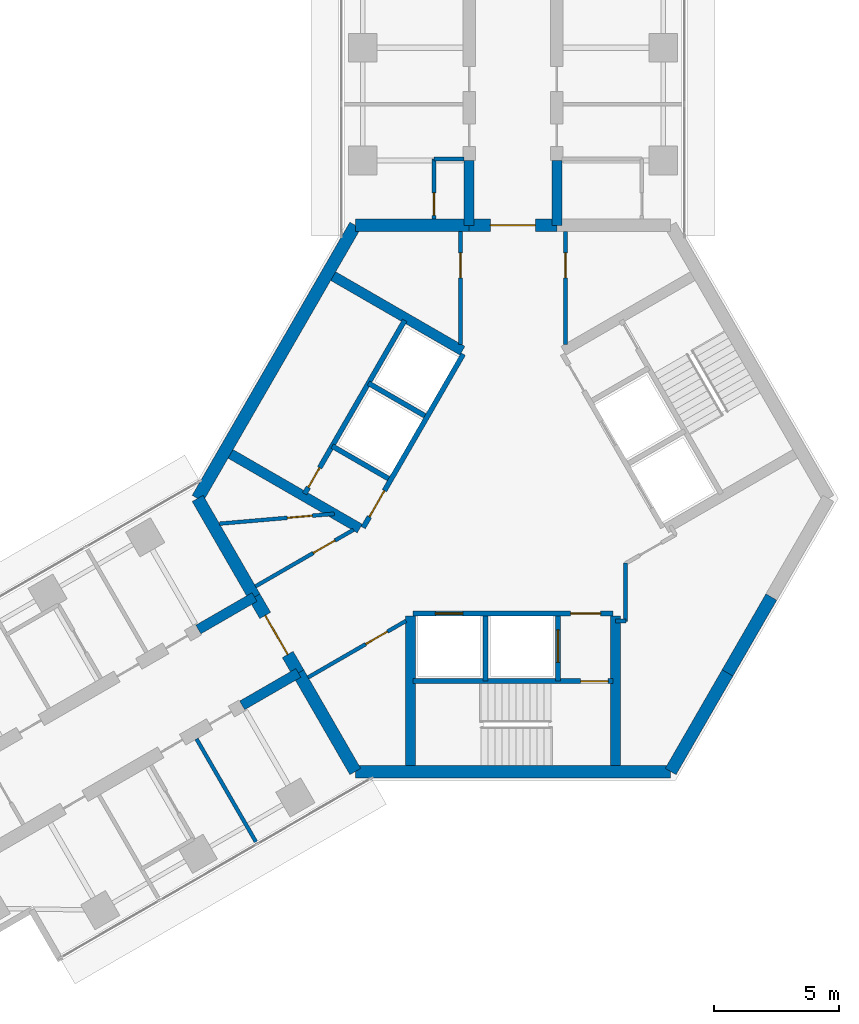
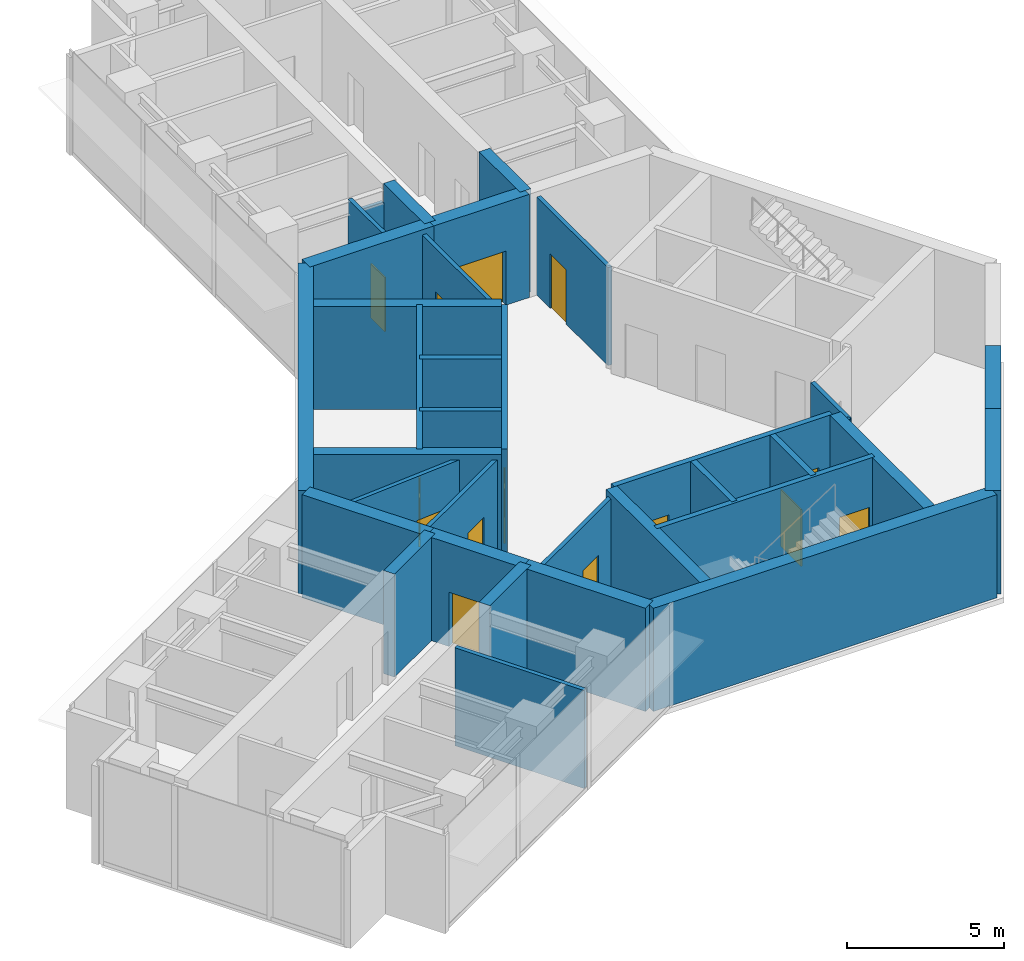
# One storey, part 14 of 17: 35 walls, 14 doors, 14 openings.
"""IFC4 building model written with IfcOpenShell, lengths in metres."""

from ifc_helpers import new_model, si_unit, direction, frame, frame_2d, origin, place, context, subcontext, project, spatial, rectangle, extrude, material, layer, layer_set, type_object, element, fill, save


model = new_model("IFC4")

# Units and contexts
model_context = context("Model", 3, precision=1e-05, world=origin(), true_north=direction((0.0, 1.0)))
body_context = subcontext(model_context, "Body", "Model", "MODEL_VIEW")
ifc_project = project(units=[si_unit("LENGTHUNIT", "METRE"), si_unit("AREAUNIT", "SQUARE_METRE"), si_unit("VOLUMEUNIT", "CUBIC_METRE"), si_unit("PLANEANGLEUNIT", "RADIAN"), si_unit("MASSUNIT", "GRAM", prefix="KILO")], contexts=[model_context])

# Site, building, storey
site_placement = place(None, origin())
site = spatial("IfcSite", under=ifc_project, at=site_placement, CompositionType="ELEMENT")
building_placement = place(site_placement, origin())
building = spatial("IfcBuilding", under=site, at=building_placement, Name="Upepo Twin Towers", CompositionType="ELEMENT")
storey_placement = place(building_placement, frame((0.0, 0.0, 206.5)))
storey = spatial("IfcBuildingStorey", under=building, at=storey_placement, Name="L50", CompositionType="ELEMENT", Elevation=206.5)

# Walls
ifc_material_1 = material(Name="Concrete C60/75", Category="concrete")
ifc_layer_1 = layer(ifc_material_1, 0.39990234375)
ifc_layer_set_1 = layer_set([ifc_layer_1], Name="Concrete C60/75")
wall_type_1 = type_object("IfcWallType", Name="Buttress wall 400 RC", PredefinedType="SHEAR", material=ifc_layer_set_1)
for number, where, z_axis, x_axis, name in (
    (1, (56.75, -7.091552734375, 0.0), (0.0, 0.0, 1.0), (0.0, 1.0, 0.0), "T2 wing A buttress wall L"),
    (2, (60.25, -7.091552734375, 0.0), (0.0, 0.0, 1.0), (0.0, 1.0, 0.0), "T2 wing A buttress wall R"),
):
    element("IfcWall", number, at=place(storey_placement, frame(where, z_axis=z_axis, x_axis=x_axis)), inside=storey, type_object=wall_type_1, Name=name, PredefinedType="SHEAR", context=body_context, shape_type="SweptSolid", body=[
        extrude(rectangle(XDim=2.591552734375, YDim=0.39990234375, at=frame_2d((1.2958984375, 0.0))), origin(), (0.0, 0.0, 1.0), 4.0),
    ])
for number, where, z_axis, x_axis, name in (
    (3, (49.92822265625, -24.9697265625, 0.0), (0.0, 0.0, 1.0), (-0.866031863473, -0.499988811324, 0.0), "T2 wing B buttress wall L"),
    (4, (48.17822265625, -21.938720703125, 0.0), (0.0, 0.0, 1.0), (-0.866072649678, -0.499918158782, 0.0), "T2 wing B buttress wall R"),
):
    element("IfcWall", number, at=place(storey_placement, frame(where, z_axis=z_axis, x_axis=x_axis)), inside=storey, type_object=wall_type_1, Name=name, PredefinedType="SHEAR", context=body_context, shape_type="SweptSolid", body=[
        extrude(rectangle(XDim=2.591796875, YDim=0.39990234375, at=frame_2d((1.2958984375, 0.0))), origin(), (0.0, 0.0, 1.0), 4.0),
    ])

# Wall, opening, door
ifc_material_2 = material(Name="Concrete C60/75", Category="concrete")
ifc_layer_2 = layer(ifc_material_2, 0.5)
ifc_layer_set_2 = layer_set([ifc_layer_2], Name="Concrete C60/75")
wall_type_2 = type_object("IfcWallType", Name="Core wall 500 RC", PredefinedType="SHEAR", material=ifc_layer_set_2)
wall_1_placement = place(storey_placement, frame((60.25, -7.091552734375, 0.0), z_axis=(0.0, 0.0, 1.0), x_axis=(-1.0, 0.0, 0.0)))
wall_1 = element("IfcWall", 5, at=wall_1_placement, inside=storey, type_object=wall_type_2, Name="T2 core wall 000", PredefinedType="SHEAR", context=body_context, shape_type="SweptSolid", body=[
    extrude(rectangle(XDim=3.5, YDim=0.5, at=frame_2d((1.75, 0.0))), origin(), (0.0, 0.0, 1.0), 4.0),
])
opening_1_placement = place(wall_1_placement, frame((0.85009765625, 0.0, 0.0)))
opening_1 = element("IfcOpeningElement", 6, at=opening_1_placement, cuts=wall_1, Name="Opening D2", PredefinedType="OPENING", context=body_context, shape_type="SweptSolid", body=[
    extrude(rectangle(XDim=1.800048828125, YDim=2.10009765625, at=frame_2d((0.89990234375, 1.050048828125))), frame((0.0, 0.260009765625, 0.0), z_axis=(0.0, -1.0, 0.0), x_axis=(1.0, 0.0, 0.0)), (0.0, 0.0, 1.0), 0.52001953125),
])
ifc_material_3 = material(Name="Timber doorset", Category="wood")
door_type_1 = type_object("IfcDoorType", Name="Corridor double door 1800 FD60", OperationType="DOUBLE_DOOR_DOUBLE_SWING", PredefinedType="DOOR", material=ifc_material_3)
door_1_placement = place(opening_1_placement, origin())
door_1 = element("IfcDoor", 7, at=door_1_placement, inside=storey, type_object=door_type_1, Name="T2 L50 wing A corridor door", OperationType="DOUBLE_DOOR_DOUBLE_SWING", OverallHeight=2.10009765625, OverallWidth=1.800048828125, PredefinedType="DOOR", context=body_context, shape_type="SweptSolid", body=[
    extrude(rectangle(XDim=1.800048828125, YDim=2.10009765625, at=frame_2d((0.89990234375, 1.050048828125))), frame((0.0, 0.02490234375, 0.0), z_axis=(0.0, -1.0, 0.0), x_axis=(1.0, 0.0, 0.0)), (0.0, 0.0, 1.0), 0.050048828125),
])
fill(opening_1, door_1)

# Walls
wall_2_placement = place(storey_placement, frame((56.75, -7.091552734375, 0.0), z_axis=(0.0, 0.0, 1.0), x_axis=(-1.0, 0.0, 0.0)))
element("IfcWall", 8, at=wall_2_placement, inside=storey, type_object=wall_type_2, Name="T2 core wall 000 L", PredefinedType="SHEAR", context=body_context, shape_type="SweptSolid", body=[
    extrude(rectangle(XDim=4.5478515625, YDim=0.5, at=frame_2d((2.27392578125, 0.0))), origin(), (0.0, 0.0, 1.0), 4.0),
])
wall_3_placement = place(storey_placement, frame((52.2021484375, -7.091552734375, 0.0), z_axis=(0.0, 0.0, 1.0), x_axis=(-0.500005998175, -0.866021940709, 0.0)))
element("IfcWall", 9, at=wall_3_placement, inside=storey, type_object=wall_type_2, Name="T2 core wall 060", PredefinedType="SHEAR", context=body_context, shape_type="SweptSolid", body=[
    extrude(rectangle(XDim=12.595947265625, YDim=0.5, at=frame_2d((6.2978515625, 0.0))), origin(), (0.0, 0.0, 1.0), 4.0),
])
wall_4_placement = place(storey_placement, frame((45.904052734375, -18.0, 0.0), z_axis=(0.0, 0.0, 1.0), x_axis=(0.500024481964, -0.866011268655, 0.0)))
element("IfcWall", 10, at=wall_4_placement, inside=storey, type_object=wall_type_2, Name="T2 core wall 120 R", PredefinedType="SHEAR", context=body_context, shape_type="SweptSolid", body=[
    extrude(rectangle(XDim=4.548095703125, YDim=0.5, at=frame_2d((2.27392578125, 0.0))), origin(), (0.0, 0.0, 1.0), 4.0),
])

# Wall, opening, door
wall_5_placement = place(storey_placement, frame((48.17822265625, -21.938720703125, 0.0), z_axis=(0.0, 0.0, 1.0), x_axis=(0.500010275428, -0.866019471182, 0.0)))
wall_5 = element("IfcWall", 11, at=wall_5_placement, inside=storey, type_object=wall_type_2, Name="T2 core wall 120", PredefinedType="SHEAR", context=body_context, shape_type="SweptSolid", body=[
    extrude(rectangle(XDim=3.5, YDim=0.5, at=frame_2d((1.75, 0.0))), origin(), (0.0, 0.0, 1.0), 4.0),
])
opening_2_placement = place(wall_5_placement, frame((0.85009765625, 0.0, 0.0)))
opening_2 = element("IfcOpeningElement", 12, at=opening_2_placement, cuts=wall_5, Name="Opening D2", PredefinedType="OPENING", context=body_context, shape_type="SweptSolid", body=[
    extrude(rectangle(XDim=1.800048828125, YDim=2.10009765625, at=frame_2d((0.89990234375, 1.050048828125))), frame((0.0, 0.260009765625, 0.0), z_axis=(0.0, -1.0, 0.0), x_axis=(1.0, 0.0, 0.0)), (0.0, 0.0, 1.0), 0.52001953125),
])
door_2_placement = place(opening_2_placement, origin())
door_2 = element("IfcDoor", 13, at=door_2_placement, inside=storey, type_object=door_type_1, Name="T2 L50 wing B corridor door", OperationType="DOUBLE_DOOR_DOUBLE_SWING", OverallHeight=2.10009765625, OverallWidth=1.800048828125, PredefinedType="DOOR", context=body_context, shape_type="SweptSolid", body=[
    extrude(rectangle(XDim=1.800048828125, YDim=2.10009765625, at=frame_2d((0.89990234375, 1.050048828125))), frame((0.0, 0.02490234375, 0.0), z_axis=(0.0, -1.0, 0.0), x_axis=(1.0, 0.0, 0.0)), (0.0, 0.0, 1.0), 0.050048828125),
])
fill(opening_2, door_2)

# Walls
wall_6_placement = place(storey_placement, frame((49.92822265625, -24.9697265625, 0.0), z_axis=(0.0, 0.0, 1.0), x_axis=(0.499984222037, -0.866034513004, 0.0)))
element("IfcWall", 14, at=wall_6_placement, inside=storey, type_object=wall_type_2, Name="T2 core wall 120 L", PredefinedType="SHEAR", context=body_context, shape_type="SweptSolid", body=[
    extrude(rectangle(XDim=4.548095703125, YDim=0.5, at=frame_2d((2.27392578125, 0.0))), origin(), (0.0, 0.0, 1.0), 4.0),
])
wall_7_placement = place(storey_placement, frame((52.2021484375, -28.908447265625, 0.0), z_axis=(0.0, 0.0, 1.0), x_axis=(1.0, 0.0, 0.0)))
element("IfcWall", 15, at=wall_7_placement, inside=storey, type_object=wall_type_2, Name="T2 core wall 180", PredefinedType="SHEAR", context=body_context, shape_type="SweptSolid", body=[
    extrude(rectangle(XDim=12.595703125, YDim=0.5, at=frame_2d((6.2978515625, 0.0))), origin(), (0.0, 0.0, 1.0), 4.0),
])
wall_8_placement = place(storey_placement, frame((64.7978515625, -28.908447265625, 0.0), z_axis=(0.0, 0.0, 1.0), x_axis=(0.499984222037, 0.866034513004, 0.0)))
element("IfcWall", 16, at=wall_8_placement, inside=storey, type_object=wall_type_2, Name="T2 core wall 240 R", PredefinedType="SHEAR", context=body_context, shape_type="SweptSolid", body=[
    extrude(rectangle(XDim=4.548095703125, YDim=0.5, at=frame_2d((2.27392578125, 0.0))), origin(), (0.0, 0.0, 1.0), 4.0),
])
wall_9_placement = place(storey_placement, frame((67.07177734375, -24.9697265625, 0.0), z_axis=(0.0, 0.0, 1.0), x_axis=(0.500010275428, 0.866019471182, 0.0)))
element("IfcWall", 17, at=wall_9_placement, inside=storey, type_object=wall_type_2, Name="T2 core wall 240", PredefinedType="SHEAR", context=body_context, shape_type="SweptSolid", body=[
    extrude(rectangle(XDim=3.5, YDim=0.5, at=frame_2d((1.75, 0.0))), origin(), (0.0, 0.0, 1.0), 4.0),
])

# Wall, opening, door
ifc_material_4 = material(Name="Concrete C40/50", Category="concrete")
ifc_layer_3 = layer(ifc_material_4, 0.199951171875)
ifc_layer_set_3 = layer_set([ifc_layer_3], Name="Concrete C40/50")
wall_type_3 = type_object("IfcWallType", Name="Shaft wall 200 RC", PredefinedType="SHEAR", material=ifc_layer_set_3)
wall_10_placement = place(storey_placement, frame((56.516357421875, -12.23583984375, 0.0), z_axis=(0.0, 0.0, 1.0), x_axis=(-0.49999894854, -0.866026010844, 0.0)))
wall_10 = element("IfcWall", 18, at=wall_10_placement, inside=storey, type_object=wall_type_3, Name="T2 core W60 front wall", PredefinedType="SHEAR", context=body_context, shape_type="SweptSolid", body=[
    extrude(rectangle(XDim=8.0, YDim=0.199951171875, at=frame_2d((4.0, 0.0))), origin(), (0.0, 0.0, 1.0), 4.0),
])
opening_3_placement = place(wall_10_placement, frame((6.300048828125, 0.0, 0.0)))
opening_3 = element("IfcOpeningElement", 19, at=opening_3_placement, cuts=wall_10, Name="Opening D4", PredefinedType="OPENING", context=body_context, shape_type="SweptSolid", body=[
    extrude(rectangle(XDim=1.199951171875, YDim=2.10009765625, at=frame_2d((0.60009765625, 1.050048828125))), frame((0.0, 0.10986328125, 0.0), z_axis=(0.0, -1.0, 0.0), x_axis=(1.0, 0.0, 0.0)), (0.0, 0.0, 1.0), 0.219970703125),
])
ifc_material_5 = material(Name="Timber doorset", Category="wood")
door_type_2 = type_object("IfcDoorType", Name="Lobby door 1200 FD60", OperationType="SINGLE_SWING_LEFT", PredefinedType="DOOR", material=ifc_material_5)
door_3_placement = place(opening_3_placement, origin())
door_3 = element("IfcDoor", 20, at=door_3_placement, inside=storey, type_object=door_type_2, Name="T2 L50 W60 lobby door", OperationType="SINGLE_SWING_RIGHT", OverallHeight=2.10009765625, OverallWidth=1.199951171875, PredefinedType="DOOR", context=body_context, shape_type="SweptSolid", body=[
    extrude(rectangle(XDim=1.199951171875, YDim=2.10009765625, at=frame_2d((0.60009765625, 1.050048828125))), frame((0.0, 0.02490234375, 0.0), z_axis=(0.0, -1.0, 0.0), x_axis=(1.0, 0.0, 0.0)), (0.0, 0.0, 1.0), 0.050048828125),
])
fill(opening_3, door_3)

# Walls
for number, where, z_axis, x_axis, name in (
    (21, (54.979736328125, -14.697265625, 0.0), (0.0, 0.0, 1.0), (-0.866062058628, 0.499936506574, 0.0), "T2 core W60 shaft divider"),
    (22, (53.52978515625, -17.208740234375, 0.0), (0.0, 0.0, 1.0), (-0.866062058628, 0.499936506574, 0.0), "T2 core W60 lobby wall"),
):
    element("IfcWall", number, at=place(storey_placement, frame(where, z_axis=z_axis, x_axis=x_axis)), inside=storey, type_object=wall_type_3, Name=name, PredefinedType="SHEAR", context=body_context, shape_type="SweptSolid", body=[
        extrude(rectangle(XDim=2.599853515625, YDim=0.199951171875, at=frame_2d((1.2998046875, 0.0))), origin(), (0.0, 0.0, 1.0), 4.0),
    ])

# Wall, opening, door
wall_11_placement = place(storey_placement, frame((54.177978515625, -10.885986328125, 0.0), z_axis=(0.0, 0.0, 1.0), x_axis=(-0.49999894854, -0.866026010844, 0.0)))
wall_11 = element("IfcWall", 23, at=wall_11_placement, inside=storey, type_object=wall_type_3, Name="T2 core W60 stair wall", PredefinedType="SHEAR", context=body_context, shape_type="SweptSolid", body=[
    extrude(rectangle(XDim=8.0, YDim=0.199951171875, at=frame_2d((4.0, 0.0))), origin(), (0.0, 0.0, 1.0), 4.0),
])
opening_4_placement = place(wall_11_placement, frame((6.800048828125, 0.0, 0.0)))
opening_4 = element("IfcOpeningElement", 24, at=opening_4_placement, cuts=wall_11, Name="Opening D9", PredefinedType="OPENING", context=body_context, shape_type="SweptSolid", body=[
    extrude(rectangle(XDim=0.89990234375, YDim=2.10009765625, at=frame_2d((0.449951171875, 1.050048828125))), frame((0.0, 0.10986328125, 0.0), z_axis=(0.0, -1.0, 0.0), x_axis=(1.0, 0.0, 0.0)), (0.0, 0.0, 1.0), 0.219970703125),
])
ifc_material_6 = material(Name="Timber doorset", Category="wood")
door_type_3 = type_object("IfcDoorType", Name="Riser door 900 FD60", OperationType="SINGLE_SWING_LEFT", PredefinedType="DOOR", material=ifc_material_6)
door_4_placement = place(opening_4_placement, origin())
door_4 = element("IfcDoor", 25, at=door_4_placement, inside=storey, type_object=door_type_3, Name="T2 L50 riser door", OperationType="SINGLE_SWING_RIGHT", OverallHeight=2.10009765625, OverallWidth=0.89990234375, PredefinedType="DOOR", context=body_context, shape_type="SweptSolid", body=[
    extrude(rectangle(XDim=0.89990234375, YDim=2.10009765625, at=frame_2d((0.449951171875, 1.050048828125))), frame((0.0, 0.02490234375, 0.0), z_axis=(0.0, -1.0, 0.0), x_axis=(1.0, 0.0, 0.0)), (0.0, 0.0, 1.0), 0.050048828125),
])
fill(opening_4, door_4)

# Wall, openings, doors
wall_12_placement = place(storey_placement, frame((54.5, -22.60009765625, 0.0), z_axis=(0.0, 0.0, 1.0), x_axis=(1.0, 0.0, 0.0)))
wall_12 = element("IfcWall", 26, at=wall_12_placement, inside=storey, type_object=wall_type_3, Name="T2 core W180 front wall", PredefinedType="SHEAR", context=body_context, shape_type="SweptSolid", body=[
    extrude(rectangle(XDim=8.0, YDim=0.199951171875, at=frame_2d((4.0, 0.0))), origin(), (0.0, 0.0, 1.0), 4.0),
])
opening_5_placement = place(wall_12_placement, frame((6.300048828125, 0.0, 0.0)))
opening_5 = element("IfcOpeningElement", 27, at=opening_5_placement, cuts=wall_12, Name="Opening D4", PredefinedType="OPENING", context=body_context, shape_type="SweptSolid", body=[
    extrude(rectangle(XDim=1.199951171875, YDim=2.10009765625, at=frame_2d((0.60009765625, 1.050048828125))), frame((0.0, 0.10986328125, 0.0), z_axis=(0.0, -1.0, 0.0), x_axis=(1.0, 0.0, 0.0)), (0.0, 0.0, 1.0), 0.219970703125),
])
opening_6_placement = place(wall_12_placement, frame((0.89990234375, 0.0, 0.0)))
opening_6 = element("IfcOpeningElement", 28, at=opening_6_placement, cuts=wall_12, Name="Opening LD1", PredefinedType="OPENING", context=body_context, shape_type="SweptSolid", body=[
    extrude(rectangle(XDim=1.10009765625, YDim=2.199951171875, at=frame_2d((0.550048828125, 1.10009765625))), frame((0.0, 0.10986328125, 0.0), z_axis=(0.0, -1.0, 0.0), x_axis=(1.0, 0.0, 0.0)), (0.0, 0.0, 1.0), 0.219970703125),
])
ifc_material_7 = material(Name="Steel doorset", Category="steel")
door_type_4 = type_object("IfcDoorType", Name="Lift landing door 1100", OperationType="DOUBLE_DOOR_SLIDING", PredefinedType="DOOR", material=ifc_material_7)
door_5_placement = place(opening_6_placement, origin())
door_5 = element("IfcDoor", 29, at=door_5_placement, inside=storey, type_object=door_type_4, Name="T2 L50 lift SV1 landing door", OperationType="DOUBLE_DOOR_SLIDING", OverallHeight=2.199951171875, OverallWidth=1.10009765625, PredefinedType="DOOR", context=body_context, shape_type="SweptSolid", body=[
    extrude(rectangle(XDim=1.10009765625, YDim=2.199951171875, at=frame_2d((0.550048828125, 1.10009765625))), frame((0.0, 0.02490234375, 0.0), z_axis=(0.0, -1.0, 0.0), x_axis=(1.0, 0.0, 0.0)), (0.0, 0.0, 1.0), 0.050048828125),
])
fill(opening_6, door_5)
door_6_placement = place(opening_5_placement, origin())
door_6 = element("IfcDoor", 30, at=door_6_placement, inside=storey, type_object=door_type_2, Name="T2 L50 W180 lobby door", OperationType="SINGLE_SWING_RIGHT", OverallHeight=2.10009765625, OverallWidth=1.199951171875, PredefinedType="DOOR", context=body_context, shape_type="SweptSolid", body=[
    extrude(rectangle(XDim=1.199951171875, YDim=2.10009765625, at=frame_2d((0.60009765625, 1.050048828125))), frame((0.0, 0.02490234375, 0.0), z_axis=(0.0, -1.0, 0.0), x_axis=(1.0, 0.0, 0.0)), (0.0, 0.0, 1.0), 0.050048828125),
])
fill(opening_5, door_6)

# Wall
wall_13_placement = place(storey_placement, frame((57.39990234375, -22.699951171875, 0.0), z_axis=(0.0, 0.0, 1.0), x_axis=(0.0, -1.0, 0.0)))
element("IfcWall", 31, at=wall_13_placement, inside=storey, type_object=wall_type_3, Name="T2 core W180 shaft divider", PredefinedType="SHEAR", context=body_context, shape_type="SweptSolid", body=[
    extrude(rectangle(XDim=2.60009765625, YDim=0.199951171875, at=frame_2d((1.300048828125, 0.0))), origin(), (0.0, 0.0, 1.0), 4.0),
])

# Wall, opening, door
wall_14_placement = place(storey_placement, frame((60.300048828125, -22.699951171875, 0.0), z_axis=(0.0, 0.0, 1.0), x_axis=(0.0, -1.0, 0.0)))
wall_14 = element("IfcWall", 32, at=wall_14_placement, inside=storey, type_object=wall_type_3, Name="T2 core W180 lobby wall", PredefinedType="SHEAR", context=body_context, shape_type="SweptSolid", body=[
    extrude(rectangle(XDim=2.60009765625, YDim=0.199951171875, at=frame_2d((1.300048828125, 0.0))), origin(), (0.0, 0.0, 1.0), 4.0),
])
opening_7_placement = place(wall_14_placement, frame((0.550048828125, 0.0, 0.0)))
opening_7 = element("IfcOpeningElement", 33, at=opening_7_placement, cuts=wall_14, Name="Opening LD2", PredefinedType="OPENING", context=body_context, shape_type="SweptSolid", body=[
    extrude(rectangle(XDim=1.300048828125, YDim=2.199951171875, at=frame_2d((0.64990234375, 1.10009765625))), frame((0.0, 0.10986328125, 0.0), z_axis=(0.0, -1.0, 0.0), x_axis=(1.0, 0.0, 0.0)), (0.0, 0.0, 1.0), 0.219970703125),
])
ifc_material_8 = material(Name="Steel doorset", Category="steel")
door_type_5 = type_object("IfcDoorType", Name="Firefighting lift landing door 1300", OperationType="DOUBLE_DOOR_SLIDING", PredefinedType="DOOR", material=ifc_material_8)
door_7_placement = place(opening_7_placement, origin())
door_7 = element("IfcDoor", 34, at=door_7_placement, inside=storey, type_object=door_type_5, Name="T2 L50 firefighting lift landing door", OperationType="DOUBLE_DOOR_SLIDING", OverallHeight=2.199951171875, OverallWidth=1.300048828125, PredefinedType="DOOR", context=body_context, shape_type="SweptSolid", body=[
    extrude(rectangle(XDim=1.300048828125, YDim=2.199951171875, at=frame_2d((0.64990234375, 1.10009765625))), frame((0.0, 0.02490234375, 0.0), z_axis=(0.0, -1.0, 0.0), x_axis=(1.0, 0.0, 0.0)), (0.0, 0.0, 1.0), 0.050048828125),
])
fill(opening_7, door_7)

wall_15_placement = place(storey_placement, frame((54.5, -25.300048828125, 0.0), z_axis=(0.0, 0.0, 1.0), x_axis=(1.0, 0.0, 0.0)))
wall_15 = element("IfcWall", 35, at=wall_15_placement, inside=storey, type_object=wall_type_3, Name="T2 core W180 stair wall", PredefinedType="SHEAR", context=body_context, shape_type="SweptSolid", body=[
    extrude(rectangle(XDim=8.0, YDim=0.199951171875, at=frame_2d((4.0, 0.0))), origin(), (0.0, 0.0, 1.0), 4.0),
])
opening_8_placement = place(wall_15_placement, frame((6.699951171875, 0.0, 0.0)))
opening_8 = element("IfcOpeningElement", 36, at=opening_8_placement, cuts=wall_15, Name="Opening D3", PredefinedType="OPENING", context=body_context, shape_type="SweptSolid", body=[
    extrude(rectangle(XDim=1.10009765625, YDim=2.10009765625, at=frame_2d((0.550048828125, 1.050048828125))), frame((0.0, 0.10986328125, 0.0), z_axis=(0.0, -1.0, 0.0), x_axis=(1.0, 0.0, 0.0)), (0.0, 0.0, 1.0), 0.219970703125),
])
ifc_material_9 = material(Name="Timber doorset", Category="wood")
door_type_6 = type_object("IfcDoorType", Name="Stair door 1100 FD60", OperationType="SINGLE_SWING_LEFT", PredefinedType="DOOR", material=ifc_material_9)
door_8_placement = place(opening_8_placement, origin())
door_8 = element("IfcDoor", 37, at=door_8_placement, inside=storey, type_object=door_type_6, Name="T2 L50 stair door", OperationType="SINGLE_SWING_RIGHT", OverallHeight=2.10009765625, OverallWidth=1.10009765625, PredefinedType="DOOR", context=body_context, shape_type="SweptSolid", body=[
    extrude(rectangle(XDim=1.10009765625, YDim=2.10009765625, at=frame_2d((0.550048828125, 1.050048828125))), frame((0.0, 0.02490234375, 0.0), z_axis=(0.0, -1.0, 0.0), x_axis=(1.0, 0.0, 0.0)), (0.0, 0.0, 1.0), 0.050048828125),
])
fill(opening_8, door_8)

# Walls
ifc_material_10 = material(Name="Concrete C40/50", Category="concrete")
ifc_layer_4 = layer(ifc_material_10, 0.39990234375)
ifc_layer_set_4 = layer_set([ifc_layer_4], Name="Concrete C40/50")
wall_type_4 = type_object("IfcWallType", Name="Shaft wall 400 RC", PredefinedType="SHEAR", material=ifc_layer_set_4)
wall_16_placement = place(storey_placement, frame((52.379638671875, -19.20068359375, 0.0), z_axis=(0.0, 0.0, 1.0), x_axis=(-0.866012946976, 0.500021575205, 0.0)))
element("IfcWall", 38, at=wall_16_placement, inside=storey, type_object=wall_type_4, Name="T2 core W60 side wall N", PredefinedType="SHEAR", context=body_context, shape_type="SweptSolid", body=[
    extrude(rectangle(XDim=5.958251953125, YDim=0.39990234375, at=frame_2d((2.97900390625, 0.0))), origin(), (0.0, 0.0, 1.0), 4.0),
])
for number, where, z_axis, x_axis, name in (
    (39, (56.479736328125, -12.099365234375, 0.0), (0.0, 0.0, 1.0), (-0.86602319114, 0.500003832394, 0.0), "T2 core W60 side wall S"),
    (40, (62.60009765625, -22.699951171875, 0.0), (0.0, 0.0, 1.0), (0.0, -1.0, 0.0), "T2 core W180 side wall N"),
    (41, (54.39990234375, -22.699951171875, 0.0), (0.0, 0.0, 1.0), (0.0, -1.0, 0.0), "T2 core W180 side wall S"),
):
    element("IfcWall", number, at=place(storey_placement, frame(where, z_axis=z_axis, x_axis=x_axis)), inside=storey, type_object=wall_type_4, Name=name, PredefinedType="SHEAR", context=body_context, shape_type="SweptSolid", body=[
        extrude(rectangle(XDim=5.95849609375, YDim=0.39990234375, at=frame_2d((2.979248046875, 0.0))), origin(), (0.0, 0.0, 1.0), 4.0),
    ])

# Wall, opening, door
ifc_material_11 = material(Name="Gypsum board on steel studs", Category="steel")
ifc_layer_5 = layer(ifc_material_11, 0.14990234375)
ifc_layer_set_5 = layer_set([ifc_layer_5], Name="Teaching partition 150 acoustic")
wall_type_5 = type_object("IfcWallType", Name="Teaching partition 150 acoustic", PredefinedType="PARTITIONING", material=ifc_layer_set_5)
wall_17_placement = place(storey_placement, frame((55.35009765625, -6.842041015625, 0.0), z_axis=(0.0, 0.0, 1.0), x_axis=(0.0, 1.0, 0.0)))
wall_17 = element("IfcWall", 42, at=wall_17_placement, inside=storey, type_object=wall_type_5, Name="T2 WC bay partition AL at 11.16", PredefinedType="PARTITIONING", context=body_context, shape_type="SweptSolid", body=[
    extrude(rectangle(XDim=2.400146484375, YDim=0.14990234375, at=frame_2d((1.2001953125, 0.0))), origin(), (0.0, 0.0, 1.0), 3.800048828125),
])
opening_9_placement = place(wall_17_placement, frame((0.14990234375, 0.0, 0.0)))
opening_9 = element("IfcOpeningElement", 43, at=opening_9_placement, cuts=wall_17, Name="Opening D14", PredefinedType="OPENING", context=body_context, shape_type="SweptSolid", body=[
    extrude(rectangle(XDim=0.89990234375, YDim=2.10009765625, at=frame_2d((0.449951171875, 1.050048828125))), frame((0.0, 0.0849609375, 0.0), z_axis=(0.0, -1.0, 0.0), x_axis=(1.0, 0.0, 0.0)), (0.0, 0.0, 1.0), 0.169921875),
])
ifc_material_12 = material(Name="Timber doorset", Category="wood")
door_type_7 = type_object("IfcDoorType", Name="Office door 900 FD30", OperationType="SINGLE_SWING_LEFT", PredefinedType="DOOR", material=ifc_material_12)
door_9_placement = place(opening_9_placement, origin())
door_9 = element("IfcDoor", 44, at=door_9_placement, inside=storey, type_object=door_type_7, Name="T2 L50 WC bay inner room door", OperationType="SINGLE_SWING_LEFT", OverallHeight=2.10009765625, OverallWidth=0.89990234375, PredefinedType="DOOR", context=body_context, shape_type="SweptSolid", body=[
    extrude(rectangle(XDim=0.89990234375, YDim=2.10009765625, at=frame_2d((0.449951171875, 1.050048828125))), frame((0.0, 0.02490234375, 0.0), z_axis=(0.0, -1.0, 0.0), x_axis=(1.0, 0.0, 0.0)), (0.0, 0.0, 1.0), 0.050048828125),
])
fill(opening_9, door_9)

# Walls
wall_18_placement = place(storey_placement, frame((56.550048828125, -4.44189453125, 0.0), z_axis=(0.0, 0.0, 1.0), x_axis=(-1.0, 0.0, 0.0)))
element("IfcWall", 45, at=wall_18_placement, inside=storey, type_object=wall_type_5, Name="T2 WC bay partition AL end at 13.56", PredefinedType="PARTITIONING", context=body_context, shape_type="SweptSolid", body=[
    extrude(rectangle(XDim=1.199951171875, YDim=0.14990234375, at=frame_2d((0.60009765625, 0.0))), origin(), (0.0, 0.0, 1.0), 3.266845703125),
])
wall_19_placement = place(storey_placement, frame((45.860107421875, -27.60693359375, 0.0), z_axis=(0.0, 0.0, 1.0), x_axis=(0.499986429846, -0.866033238375, 0.0)))
element("IfcWall", 46, at=wall_19_placement, inside=storey, type_object=wall_type_5, Name="T2 partition BL at 15.75", PredefinedType="PARTITIONING", context=body_context, shape_type="SweptSolid", body=[
    extrude(rectangle(XDim=4.750244140625, YDim=0.14990234375, at=frame_2d((2.375, 0.0))), origin(), (0.0, 0.0, 1.0), 3.800048828125),
])
wall_20_placement = place(storey_placement, frame((63.02001953125, -22.89990234375, 0.0), z_axis=(0.0, 0.0, 1.0), x_axis=(-1.0, 0.0, 0.0)))
element("IfcWall", 47, at=wall_20_placement, inside=storey, type_object=wall_type_5, Name="T2 core room partition 1", PredefinedType="PARTITIONING", context=body_context, shape_type="SweptSolid", body=[
    extrude(rectangle(XDim=0.429931640625, YDim=0.14990234375, at=frame_2d((0.21484375, 0.0))), origin(), (0.0, 0.0, 1.0), 3.800048828125),
])

# Wall, opening, door
wall_21_placement = place(storey_placement, frame((54.230224609375, -22.889892578125, 0.0), z_axis=(0.0, 0.0, 1.0), x_axis=(-0.866006805923, -0.500032211057, 0.0)))
wall_21 = element("IfcWall", 48, at=wall_21_placement, inside=storey, type_object=wall_type_5, Name="T2 core room partition 2", PredefinedType="PARTITIONING", context=body_context, shape_type="SweptSolid", body=[
    extrude(rectangle(XDim=4.525634765625, YDim=0.14990234375, at=frame_2d((2.2626953125, 0.0))), origin(), (0.0, 0.0, 1.0), 3.800048828125),
])
opening_10_placement = place(wall_21_placement, frame((0.857666015625, 0.0, 0.0)))
opening_10 = element("IfcOpeningElement", 49, at=opening_10_placement, cuts=wall_21, Name="Opening D1", PredefinedType="OPENING", context=body_context, shape_type="SweptSolid", body=[
    extrude(rectangle(XDim=1.0, YDim=2.10009765625, at=frame_2d((0.5, 1.050048828125))), frame((0.0, 0.0849609375, 0.0), z_axis=(0.0, -1.0, 0.0), x_axis=(1.0, 0.0, 0.0)), (0.0, 0.0, 1.0), 0.169921875),
])
ifc_material_13 = material(Name="Timber doorset", Category="wood")
door_type_8 = type_object("IfcDoorType", Name="Room door 1000 FD30", OperationType="SINGLE_SWING_LEFT", PredefinedType="DOOR", material=ifc_material_13)
door_10_placement = place(opening_10_placement, origin())
door_10 = element("IfcDoor", 50, at=door_10_placement, inside=storey, type_object=door_type_8, Name="T2 L50 core room door K3", OperationType="SINGLE_SWING_LEFT", OverallHeight=2.10009765625, OverallWidth=1.0, PredefinedType="DOOR", context=body_context, shape_type="SweptSolid", body=[
    extrude(rectangle(XDim=1.0, YDim=2.10009765625, at=frame_2d((0.5, 1.050048828125))), frame((0.0, 0.02490234375, 0.0), z_axis=(0.0, -1.0, 0.0), x_axis=(1.0, 0.0, 0.0)), (0.0, 0.0, 1.0), 0.050048828125),
])
fill(opening_10, door_10)

wall_22_placement = place(storey_placement, frame((48.2109375, -21.515380859375, 0.0), z_axis=(0.0, 0.0, 1.0), x_axis=(0.866043651885, 0.499968392031, 0.0)))
wall_22 = element("IfcWall", 51, at=wall_22_placement, inside=storey, type_object=wall_type_5, Name="T2 core room partition 3", PredefinedType="PARTITIONING", context=body_context, shape_type="SweptSolid", body=[
    extrude(rectangle(XDim=4.525634765625, YDim=0.14990234375, at=frame_2d((2.2626953125, 0.0))), origin(), (0.0, 0.0, 1.0), 3.800048828125),
])
opening_11_placement = place(wall_22_placement, frame((2.66796875, 0.0, 0.0)))
opening_11 = element("IfcOpeningElement", 52, at=opening_11_placement, cuts=wall_22, Name="Opening D1", PredefinedType="OPENING", context=body_context, shape_type="SweptSolid", body=[
    extrude(rectangle(XDim=1.0, YDim=2.10009765625, at=frame_2d((0.5, 1.050048828125))), frame((0.0, 0.0849609375, 0.0), z_axis=(0.0, -1.0, 0.0), x_axis=(1.0, 0.0, 0.0)), (0.0, 0.0, 1.0), 0.169921875),
])
door_11_placement = place(opening_11_placement, origin())
door_11 = element("IfcDoor", 53, at=door_11_placement, inside=storey, type_object=door_type_8, Name="T2 L50 core room door K2", OperationType="SINGLE_SWING_RIGHT", OverallHeight=2.10009765625, OverallWidth=1.0, PredefinedType="DOOR", context=body_context, shape_type="SweptSolid", body=[
    extrude(rectangle(XDim=1.0, YDim=2.10009765625, at=frame_2d((0.5, 1.050048828125))), frame((0.0, 0.02490234375, 0.0), z_axis=(0.0, -1.0, 0.0), x_axis=(1.0, 0.0, 0.0)), (0.0, 0.0, 1.0), 0.050048828125),
])
fill(opening_11, door_11)

wall_23_placement = place(storey_placement, frame((56.39990234375, -11.857421875, 0.0), z_axis=(0.0, 0.0, 1.0), x_axis=(0.0, 1.0, 0.0)))
wall_23 = element("IfcWall", 54, at=wall_23_placement, inside=storey, type_object=wall_type_5, Name="T2 core room partition 4", PredefinedType="PARTITIONING", context=body_context, shape_type="SweptSolid", body=[
    extrude(rectangle(XDim=4.525634765625, YDim=0.14990234375, at=frame_2d((2.2626953125, 0.0))), origin(), (0.0, 0.0, 1.0), 3.800048828125),
])
opening_12_placement = place(wall_23_placement, frame((2.66796875, 0.0, 0.0)))
opening_12 = element("IfcOpeningElement", 55, at=opening_12_placement, cuts=wall_23, Name="Opening D1", PredefinedType="OPENING", context=body_context, shape_type="SweptSolid", body=[
    extrude(rectangle(XDim=1.0, YDim=2.10009765625, at=frame_2d((0.5, 1.050048828125))), frame((0.0, 0.0849609375, 0.0), z_axis=(0.0, -1.0, 0.0), x_axis=(1.0, 0.0, 0.0)), (0.0, 0.0, 1.0), 0.169921875),
])
door_12_placement = place(opening_12_placement, origin())
door_12 = element("IfcDoor", 56, at=door_12_placement, inside=storey, type_object=door_type_8, Name="T2 L50 core room door K6", OperationType="SINGLE_SWING_RIGHT", OverallHeight=2.10009765625, OverallWidth=1.0, PredefinedType="DOOR", context=body_context, shape_type="SweptSolid", body=[
    extrude(rectangle(XDim=1.0, YDim=2.10009765625, at=frame_2d((0.5, 1.050048828125))), frame((0.0, 0.02490234375, 0.0), z_axis=(0.0, -1.0, 0.0), x_axis=(1.0, 0.0, 0.0)), (0.0, 0.0, 1.0), 0.050048828125),
])
fill(opening_12, door_12)

wall_24_placement = place(storey_placement, frame((60.60009765625, -7.331787109375, 0.0), z_axis=(0.0, 0.0, 1.0), x_axis=(0.0, -1.0, 0.0)))
wall_24 = element("IfcWall", 57, at=wall_24_placement, inside=storey, type_object=wall_type_5, Name="T2 core room partition 5", PredefinedType="PARTITIONING", context=body_context, shape_type="SweptSolid", body=[
    extrude(rectangle(XDim=4.525634765625, YDim=0.14990234375, at=frame_2d((2.2626953125, 0.0))), origin(), (0.0, 0.0, 1.0), 3.800048828125),
])
opening_13_placement = place(wall_24_placement, frame((0.857666015625, 0.0, 0.0)))
opening_13 = element("IfcOpeningElement", 58, at=opening_13_placement, cuts=wall_24, Name="Opening D1", PredefinedType="OPENING", context=body_context, shape_type="SweptSolid", body=[
    extrude(rectangle(XDim=1.0, YDim=2.10009765625, at=frame_2d((0.5, 1.050048828125))), frame((0.0, 0.0849609375, 0.0), z_axis=(0.0, -1.0, 0.0), x_axis=(1.0, 0.0, 0.0)), (0.0, 0.0, 1.0), 0.169921875),
])
door_13_placement = place(opening_13_placement, origin())
door_13 = element("IfcDoor", 59, at=door_13_placement, inside=storey, type_object=door_type_8, Name="T2 L50 core room door K5", OperationType="SINGLE_SWING_LEFT", OverallHeight=2.10009765625, OverallWidth=1.0, PredefinedType="DOOR", context=body_context, shape_type="SweptSolid", body=[
    extrude(rectangle(XDim=1.0, YDim=2.10009765625, at=frame_2d((0.5, 1.050048828125))), frame((0.0, 0.02490234375, 0.0), z_axis=(0.0, -1.0, 0.0), x_axis=(1.0, 0.0, 0.0)), (0.0, 0.0, 1.0), 0.050048828125),
])
fill(opening_13, door_13)

# Wall
wall_25_placement = place(storey_placement, frame((63.0, -20.578125, 0.0), z_axis=(0.0, 0.0, 1.0), x_axis=(0.0, -1.0, 0.0)))
element("IfcWall", 60, at=wall_25_placement, inside=storey, type_object=wall_type_5, Name="T2 core room partition 8", PredefinedType="PARTITIONING", context=body_context, shape_type="SweptSolid", body=[
    extrude(rectangle(XDim=2.341796875, YDim=0.14990234375, at=frame_2d((1.1708984375, 0.0))), origin(), (0.0, 0.0, 1.0), 3.800048828125),
])

# Wall, opening, door
wall_26_placement = place(storey_placement, frame((51.36376953125, -18.614013671875, 0.0), z_axis=(0.0, 0.0, 1.0), x_axis=(-0.996314617181, -0.085774026317, 0.0)))
wall_26 = element("IfcWall", 61, at=wall_26_placement, inside=storey, type_object=wall_type_5, Name="T2 core room partition 9", PredefinedType="PARTITIONING", context=body_context, shape_type="SweptSolid", body=[
    extrude(rectangle(XDim=4.60546875, YDim=0.14990234375, at=frame_2d((2.302734375, 0.0))), origin(), (0.0, 0.0, 1.0), 3.800048828125),
])
opening_14_placement = place(wall_26_placement, frame((0.881591796875, 0.0, 0.0)))
opening_14 = element("IfcOpeningElement", 62, at=opening_14_placement, cuts=wall_26, Name="Opening D1", PredefinedType="OPENING", context=body_context, shape_type="SweptSolid", body=[
    extrude(rectangle(XDim=1.0, YDim=2.10009765625, at=frame_2d((0.5, 1.050048828125))), frame((0.0, 0.0849609375, 0.0), z_axis=(0.0, -1.0, 0.0), x_axis=(1.0, 0.0, 0.0)), (0.0, 0.0, 1.0), 0.169921875),
])
door_14_placement = place(opening_14_placement, origin())
door_14 = element("IfcDoor", 63, at=door_14_placement, inside=storey, type_object=door_type_8, Name="T2 L50 core room door K1", OperationType="SINGLE_SWING_LEFT", OverallHeight=2.10009765625, OverallWidth=1.0, PredefinedType="DOOR", context=body_context, shape_type="SweptSolid", body=[
    extrude(rectangle(XDim=1.0, YDim=2.10009765625, at=frame_2d((0.5, 1.050048828125))), frame((0.0, 0.02490234375, 0.0), z_axis=(0.0, -1.0, 0.0), x_axis=(1.0, 0.0, 0.0)), (0.0, 0.0, 1.0), 0.050048828125),
])
fill(opening_14, door_14)

save(model, "model.ifc")
